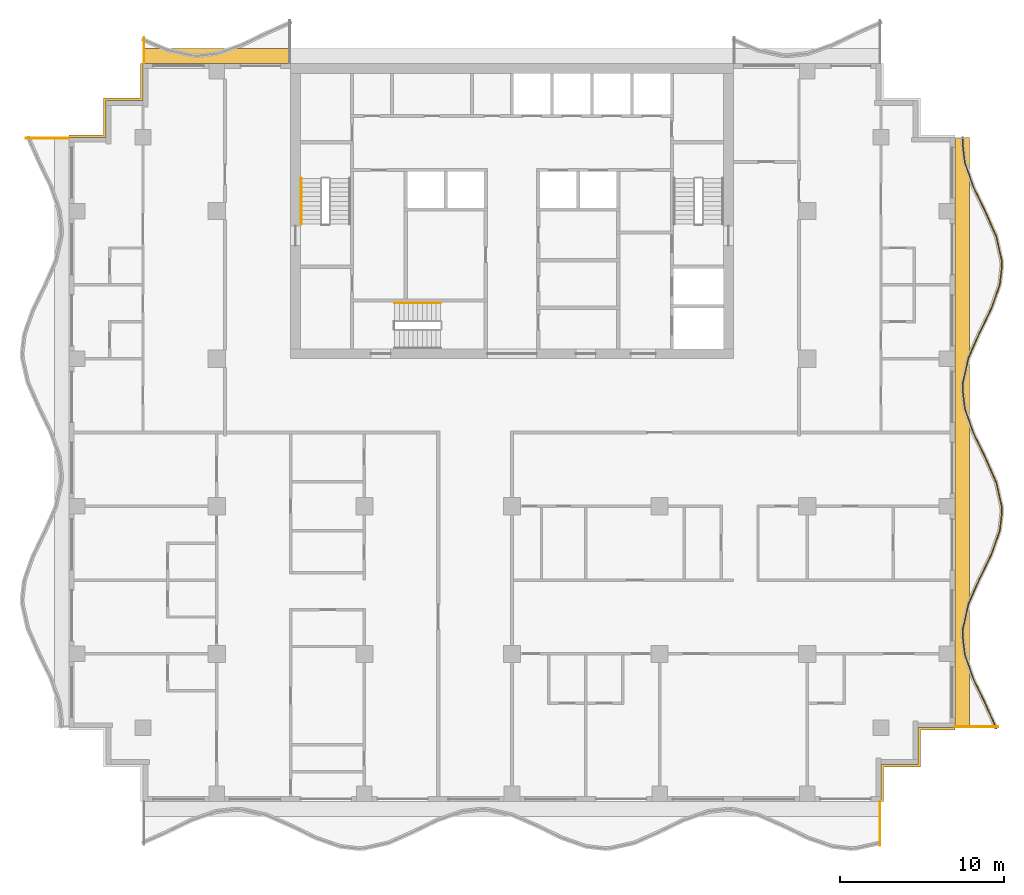
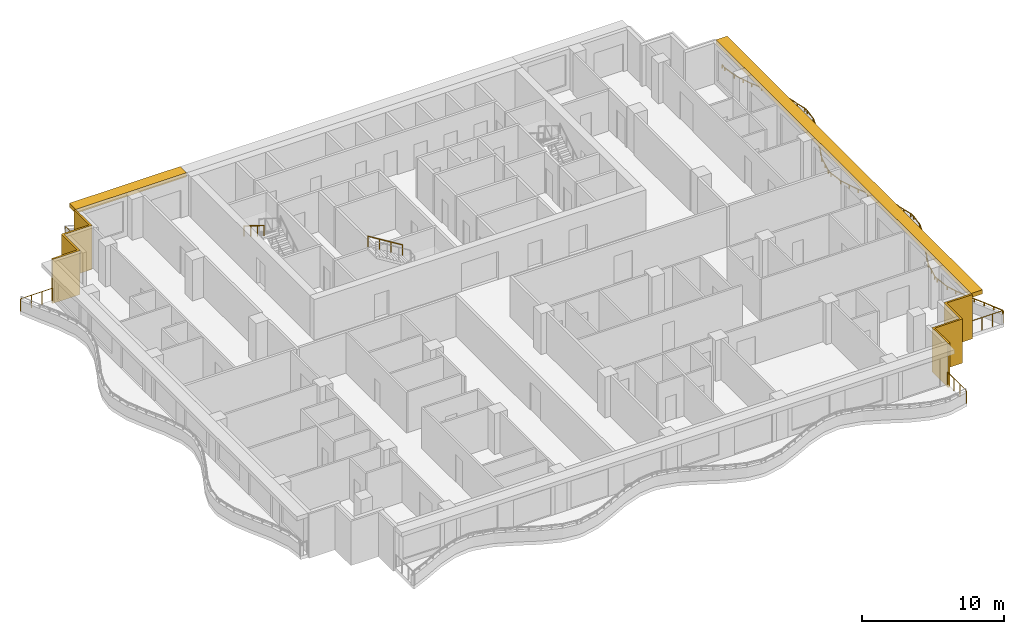
# One storey, part 10 of 11: 7 railings, 4 shading devices.
"""IFC4 building model written with IfcOpenShell, lengths in metres."""

from ifc_helpers import new_model, si_unit, direction, frame, origin, origin_2d, place, context, subcontext, project, spatial, polyline, rectangle, circle, outline, extrude, material, layer, layer_set, type_object, element, save


model = new_model("IFC4")

# Units and contexts
model_context = context("Model", 3, precision=1e-05, world=origin(), true_north=direction((0.0, 1.0)))
body_context = subcontext(model_context, "Body", "Model", "MODEL_VIEW")
ifc_project = project(units=[si_unit("LENGTHUNIT", "METRE"), si_unit("AREAUNIT", "SQUARE_METRE"), si_unit("VOLUMEUNIT", "CUBIC_METRE"), si_unit("PLANEANGLEUNIT", "RADIAN"), si_unit("MASSUNIT", "GRAM", prefix="KILO")], contexts=[model_context])

# Site, building, storey
site_placement = place(None, origin())
site = spatial("IfcSite", under=ifc_project, at=site_placement, CompositionType="ELEMENT")
building_placement = place(site_placement, origin())
building = spatial("IfcBuilding", under=site, at=building_placement, Name="Orbiselva Terraces", CompositionType="ELEMENT")
storey_placement = place(building_placement, frame((0.0, 0.0, 222.4)))
storey = spatial("IfcBuildingStorey", under=building, at=storey_placement, Name="L56", CompositionType="ELEMENT", Elevation=222.4)

# Railings
ifc_material_1 = material(Name="Stainless steel", Category="steel")
railing_type_1 = type_object("IfcRailingType", Name="CORE-HANDRAIL-900", PredefinedType="HANDRAIL", material=ifc_material_1)
railing_1_placement = place(storey_placement, frame((-12.85, 15.5, 2.072727)))
element("IfcRailing", 1, at=railing_1_placement, inside=storey, type_object=railing_type_1, Name="L56 S1 stair handrail 2", PredefinedType="HANDRAIL", context=body_context, shape_type="SweptSolid", body=[
    extrude(circle(Radius=0.024, at=origin_2d()), frame((0.0, 0.0, 0.876), z_axis=(0.0, -0.851088519012, 0.52502222125), x_axis=(1.0, 0.0, 0.0)), (0.0, 0.0, 1.0), 3.289905),
    extrude(circle(Radius=0.021, at=origin_2d()), origin(), (0.0, 0.0, 1.0), 0.852),
    extrude(circle(Radius=0.021, at=origin_2d()), frame((0.0, -0.933333, 0.575758)), (0.0, 0.0, 1.0), 0.852),
    extrude(circle(Radius=0.021, at=origin_2d()), frame((0.0, -1.866667, 1.151515)), (0.0, 0.0, 1.0), 0.852),
    extrude(circle(Radius=0.021, at=origin_2d()), frame((0.0, -2.8, 1.727273)), (0.0, 0.0, 1.0), 0.852),
])
railing_2_placement = place(storey_placement, frame((-4.35, 7.9, 2.072727)))
element("IfcRailing", 2, at=railing_2_placement, inside=storey, type_object=railing_type_1, Name="L56 S3 stair handrail 2", PredefinedType="HANDRAIL", context=body_context, shape_type="SweptSolid", body=[
    extrude(circle(Radius=0.024, at=origin_2d()), frame((0.0, 0.0, 0.876), z_axis=(-0.851088519012, 0.0, 0.52502222125), x_axis=(0.0, -1.0, 0.0)), (0.0, 0.0, 1.0), 3.289905),
    extrude(circle(Radius=0.021, at=origin_2d()), origin(), (0.0, 0.0, 1.0), 0.852),
    extrude(circle(Radius=0.021, at=origin_2d()), frame((-0.933333, 0.0, 0.575758)), (0.0, 0.0, 1.0), 0.852),
    extrude(circle(Radius=0.021, at=origin_2d()), frame((-1.866667, 0.0, 1.151515)), (0.0, 0.0, 1.0), 0.852),
    extrude(circle(Radius=0.021, at=origin_2d()), frame((-2.8, 0.0, 1.727273)), (0.0, 0.0, 1.0), 0.852),
])
ifc_material_2 = material(Name="Bonded two-ply safety glass balustrade, stainless steel posts", Category="steel")
railing_type_2 = type_object("IfcRailingType", Name="ENV-BALUSTRADE-1200", PredefinedType="BALUSTRADE", material=ifc_material_2)
railing_3_placement = place(storey_placement, frame((29.534136, -18.050394, 0.9)))
element("IfcRailing", 3, at=railing_3_placement, inside=storey, type_object=railing_type_2, Name="Balcony balustrade L56 E", PredefinedType="BALUSTRADE", context=body_context, shape_type="SweptSolid", body=[
    extrude(outline(polyline([(0.028868, 0.0), (0.014434, 0.025), (-0.014434, 0.025), (-0.028868, 0.0), (-0.014434, -0.025), (0.014434, -0.025), (0.028868, 0.0)])), frame((0.0, 0.0, 0.275), z_axis=(-0.403150940408, 0.915133498047, 0.0), x_axis=(-0.915133498047, -0.403150940408, 0.0)), (0.0, 0.0, 1.0), 1.636648),
    extrude(outline(polyline([(0.028868, 0.0), (0.014434, 0.025), (-0.014434, 0.025), (-0.028868, 0.0), (-0.014434, -0.025), (0.014434, -0.025), (0.028868, 0.0)])), frame((-0.659816, 1.497751, 0.275), z_axis=(-0.438812048596, 0.898578870221, 0.0), x_axis=(-0.898578870221, -0.438812048596, 0.0)), (0.0, 0.0, 1.0), 1.674225),
    extrude(outline(polyline([(0.028868, 0.0), (0.014434, 0.025), (-0.014434, 0.025), (-0.028868, 0.0), (-0.014434, -0.025), (0.014434, -0.025), (0.028868, 0.0)])), frame((-1.394486, 3.002174, 0.275), z_axis=(-0.330024597479, 0.943972332783, 0.0), x_axis=(-0.943972332783, -0.330024597479, 0.0)), (0.0, 0.0, 1.0), 1.610253),
    extrude(outline(polyline([(0.028868, 0.0), (0.014434, 0.025), (-0.014434, 0.025), (-0.028868, 0.0), (-0.014434, -0.025), (0.014434, -0.025), (0.028868, 0.0)])), frame((-1.925909, 4.522208, 0.275), z_axis=(-0.115482182324, 0.993309551734, 0.0), x_axis=(-0.993309551734, -0.115482182324, 0.0)), (0.0, 0.0, 1.0), 1.156135),
    extrude(outline(polyline([(0.028868, 0.0), (0.014434, 0.025), (-0.014434, 0.025), (-0.028868, 0.0), (-0.014434, -0.025), (0.014434, -0.025), (0.028868, 0.0)])), frame((-2.059422, 5.670608, 0.275), z_axis=(0.03936915532, 0.999224734286, 0.0), x_axis=(-0.999224734286, 0.03936915532, 0.0)), (0.0, 0.0, 1.0), 0.396376),
    extrude(outline(polyline([(0.028868, 0.0), (0.014434, 0.025), (-0.014434, 0.025), (-0.028868, 0.0), (-0.014434, -0.025), (0.014434, -0.025), (0.028868, 0.0)])), frame((-2.043817, 6.066677, 0.275), z_axis=(0.219015500924, 0.97572137947, 0.0), x_axis=(-0.97572137947, 0.219015500924, 0.0)), (0.0, 0.0, 1.0), 1.560867),
    extrude(outline(polyline([(0.028868, 0.0), (0.014434, 0.025), (-0.014434, 0.025), (-0.028868, 0.0), (-0.014434, -0.025), (0.014434, -0.025), (0.028868, 0.0)])), frame((-1.701963, 7.589648, 0.275), z_axis=(0.403150874148, 0.915133527237, 0.0), x_axis=(-0.915133527237, 0.403150874148, 0.0)), (0.0, 0.0, 1.0), 1.653736),
    extrude(outline(polyline([(0.028868, 0.0), (0.014434, 0.025), (-0.014434, 0.025), (-0.028868, 0.0), (-0.014434, -0.025), (0.014434, -0.025), (0.028868, 0.0)])), frame((-1.035258, 9.103037, 0.275), z_axis=(0.438811978768, 0.89857890432, 0.0), x_axis=(-0.89857890432, 0.438811978768, 0.0)), (0.0, 0.0, 1.0), 1.66438),
    extrude(outline(polyline([(0.028868, 0.0), (0.014434, 0.025), (-0.014434, 0.025), (-0.028868, 0.0), (-0.014434, -0.025), (0.014434, -0.025), (0.028868, 0.0)])), frame((-0.304908, 10.598614, 0.275), z_axis=(0.330024754707, 0.943972277814, 0.0), x_axis=(-0.943972277814, 0.330024754707, 0.0)), (0.0, 0.0, 1.0), 1.567807),
    extrude(outline(polyline([(0.028868, 0.0), (0.014434, 0.025), (-0.014434, 0.025), (-0.028868, 0.0), (-0.014434, -0.025), (0.014434, -0.025), (0.028868, 0.0)])), frame((0.212507, 12.07858, 0.275), z_axis=(0.115481264762, 0.993309658409, 0.0), x_axis=(-0.993309658409, 0.115481264762, 0.0)), (0.0, 0.0, 1.0), 1.10902),
    extrude(outline(polyline([(0.028868, 0.0), (0.014434, 0.025), (-0.014434, 0.025), (-0.028868, 0.0), (-0.014434, -0.025), (0.014434, -0.025), (0.028868, 0.0)])), frame((0.340578, 13.18018, 0.275), z_axis=(-0.039364150694, 0.999224931454, 0.0), x_axis=(-0.999224931454, -0.039364150694, 0.0)), (0.0, 0.0, 1.0), 0.354206),
    extrude(outline(polyline([(0.028868, 0.0), (0.014434, 0.025), (-0.014434, 0.025), (-0.028868, 0.0), (-0.014434, -0.025), (0.014434, -0.025), (0.028868, 0.0)])), frame((0.326635, 13.534111, 0.275), z_axis=(-0.219015740235, 0.975721325753, 0.0), x_axis=(-0.975721325753, -0.219015740235, 0.0)), (0.0, 0.0, 1.0), 1.513782),
    extrude(outline(polyline([(0.028868, 0.0), (0.014434, 0.025), (-0.014434, 0.025), (-0.028868, 0.0), (-0.014434, -0.025), (0.014434, -0.025), (0.028868, 0.0)])), frame((-0.004907, 15.01114, 0.275), z_axis=(-0.403151245402, 0.915133363686, 0.0), x_axis=(-0.915133363686, -0.403151245402, 0.0)), (0.0, 0.0, 1.0), 1.624475),
    extrude(outline(polyline([(0.028868, 0.0), (0.014434, 0.025), (-0.014434, 0.025), (-0.028868, 0.0), (-0.014434, -0.025), (0.014434, -0.025), (0.028868, 0.0)])), frame((-0.659816, 16.497751, 0.275), z_axis=(-0.438812048596, 0.898578870221, 0.0), x_axis=(-0.898578870221, -0.438812048596, 0.0)), (0.0, 0.0, 1.0), 1.674225),
    extrude(outline(polyline([(0.028868, 0.0), (0.014434, 0.025), (-0.014434, 0.025), (-0.028868, 0.0), (-0.014434, -0.025), (0.014434, -0.025), (0.028868, 0.0)])), frame((-1.394486, 18.002174, 0.275), z_axis=(-0.330024597479, 0.943972332783, 0.0), x_axis=(-0.943972332783, -0.330024597479, 0.0)), (0.0, 0.0, 1.0), 1.610253),
    extrude(outline(polyline([(0.028868, 0.0), (0.014434, 0.025), (-0.014434, 0.025), (-0.028868, 0.0), (-0.014434, -0.025), (0.014434, -0.025), (0.028868, 0.0)])), frame((-1.925909, 19.522208, 0.275), z_axis=(-0.115482182324, 0.993309551734, 0.0), x_axis=(-0.993309551734, -0.115482182324, 0.0)), (0.0, 0.0, 1.0), 1.156135),
    extrude(outline(polyline([(0.028868, 0.0), (0.014434, 0.025), (-0.014434, 0.025), (-0.028868, 0.0), (-0.014434, -0.025), (0.014434, -0.025), (0.028868, 0.0)])), frame((-2.059422, 20.670608, 0.275), z_axis=(0.03936915532, 0.999224734286, 0.0), x_axis=(-0.999224734286, 0.03936915532, 0.0)), (0.0, 0.0, 1.0), 0.396376),
    extrude(outline(polyline([(0.028868, 0.0), (0.014434, 0.025), (-0.014434, 0.025), (-0.028868, 0.0), (-0.014434, -0.025), (0.014434, -0.025), (0.028868, 0.0)])), frame((-2.043817, 21.066677, 0.275), z_axis=(0.219015500924, 0.97572137947, 0.0), x_axis=(-0.97572137947, 0.219015500924, 0.0)), (0.0, 0.0, 1.0), 1.560867),
    extrude(outline(polyline([(0.028868, 0.0), (0.014434, 0.025), (-0.014434, 0.025), (-0.028868, 0.0), (-0.014434, -0.025), (0.014434, -0.025), (0.028868, 0.0)])), frame((-1.701963, 22.589648, 0.275), z_axis=(0.403150874148, 0.915133527237, 0.0), x_axis=(-0.915133527237, 0.403150874148, 0.0)), (0.0, 0.0, 1.0), 1.653736),
    extrude(outline(polyline([(0.028868, 0.0), (0.014434, 0.025), (-0.014434, 0.025), (-0.028868, 0.0), (-0.014434, -0.025), (0.014434, -0.025), (0.028868, 0.0)])), frame((-1.035258, 24.103037, 0.275), z_axis=(0.438811978768, 0.89857890432, 0.0), x_axis=(-0.89857890432, 0.438811978768, 0.0)), (0.0, 0.0, 1.0), 1.66438),
    extrude(outline(polyline([(0.028868, 0.0), (0.014434, 0.025), (-0.014434, 0.025), (-0.028868, 0.0), (-0.014434, -0.025), (0.014434, -0.025), (0.028868, 0.0)])), frame((-0.304908, 25.598614, 0.275), z_axis=(0.330024754707, 0.943972277814, 0.0), x_axis=(-0.943972277814, 0.330024754707, 0.0)), (0.0, 0.0, 1.0), 1.567807),
    extrude(outline(polyline([(0.028868, 0.0), (0.014434, 0.025), (-0.014434, 0.025), (-0.028868, 0.0), (-0.014434, -0.025), (0.014434, -0.025), (0.028868, 0.0)])), frame((0.212507, 27.07858, 0.275), z_axis=(0.115481264762, 0.993309658409, 0.0), x_axis=(-0.993309658409, 0.115481264762, 0.0)), (0.0, 0.0, 1.0), 1.10902),
    extrude(outline(polyline([(0.028868, 0.0), (0.014434, 0.025), (-0.014434, 0.025), (-0.028868, 0.0), (-0.014434, -0.025), (0.014434, -0.025), (0.028868, 0.0)])), frame((0.340578, 28.18018, 0.275), z_axis=(-0.039364150694, 0.999224931454, 0.0), x_axis=(-0.999224931454, -0.039364150694, 0.0)), (0.0, 0.0, 1.0), 0.354206),
    extrude(outline(polyline([(0.028868, 0.0), (0.014434, 0.025), (-0.014434, 0.025), (-0.028868, 0.0), (-0.014434, -0.025), (0.014434, -0.025), (0.028868, 0.0)])), frame((0.326635, 28.534111, 0.275), z_axis=(-0.219015740235, 0.975721325753, 0.0), x_axis=(-0.975721325753, -0.219015740235, 0.0)), (0.0, 0.0, 1.0), 1.513782),
    extrude(outline(polyline([(0.028868, 0.0), (0.014434, 0.025), (-0.014434, 0.025), (-0.028868, 0.0), (-0.014434, -0.025), (0.014434, -0.025), (0.028868, 0.0)])), frame((-0.004907, 30.01114, 0.275), z_axis=(-0.403151245402, 0.915133363686, 0.0), x_axis=(-0.915133363686, -0.403151245402, 0.0)), (0.0, 0.0, 1.0), 1.624475),
    extrude(outline(polyline([(0.028868, 0.0), (0.014434, 0.025), (-0.014434, 0.025), (-0.028868, 0.0), (-0.014434, -0.025), (0.014434, -0.025), (0.028868, 0.0)])), frame((-0.659816, 31.497751, 0.275), z_axis=(-0.438812048596, 0.898578870221, 0.0), x_axis=(-0.898578870221, -0.438812048596, 0.0)), (0.0, 0.0, 1.0), 1.674225),
    extrude(outline(polyline([(0.028868, 0.0), (0.014434, 0.025), (-0.014434, 0.025), (-0.028868, 0.0), (-0.014434, -0.025), (0.014434, -0.025), (0.028868, 0.0)])), frame((-1.394486, 33.002174, 0.275), z_axis=(-0.330024597479, 0.943972332783, 0.0), x_axis=(-0.943972332783, -0.330024597479, 0.0)), (0.0, 0.0, 1.0), 1.610253),
    extrude(outline(polyline([(0.028868, 0.0), (0.014434, 0.025), (-0.014434, 0.025), (-0.028868, 0.0), (-0.014434, -0.025), (0.014434, -0.025), (0.028868, 0.0)])), frame((-1.925909, 34.522208, 0.275), z_axis=(-0.115482182324, 0.993309551734, 0.0), x_axis=(-0.993309551734, -0.115482182324, 0.0)), (0.0, 0.0, 1.0), 1.156135),
    extrude(outline(polyline([(0.028868, 0.0), (0.014434, 0.025), (-0.014434, 0.025), (-0.028868, 0.0), (-0.014434, -0.025), (0.014434, -0.025), (0.028868, 0.0)])), frame((-2.059422, 35.670608, 0.275), z_axis=(0.039368272023, 0.999224769087, 0.0), x_axis=(-0.999224769087, 0.039368272023, 0.0)), (0.0, 0.0, 1.0), 0.385005),
    extrude(rectangle(XDim=0.05, YDim=0.05, at=origin_2d()), origin(), (0.0, 0.0, 1.0), 0.25),
    extrude(rectangle(XDim=0.05, YDim=0.05, at=origin_2d()), frame((-0.329908, 0.748876, 0.0)), (0.0, 0.0, 1.0), 0.25),
    extrude(rectangle(XDim=0.05, YDim=0.05, at=origin_2d()), frame((-0.659816, 1.497751, 0.0)), (0.0, 0.0, 1.0), 0.25),
    extrude(rectangle(XDim=0.05, YDim=0.05, at=origin_2d()), frame((-1.027151, 2.249963, 0.0)), (0.0, 0.0, 1.0), 0.25),
    extrude(rectangle(XDim=0.05, YDim=0.05, at=origin_2d()), frame((-1.394486, 3.002174, 0.0)), (0.0, 0.0, 1.0), 0.25),
    extrude(rectangle(XDim=0.05, YDim=0.05, at=origin_2d()), frame((-1.660198, 3.762191, 0.0)), (0.0, 0.0, 1.0), 0.25),
    extrude(rectangle(XDim=0.05, YDim=0.05, at=origin_2d()), frame((-1.925909, 4.522208, 0.0)), (0.0, 0.0, 1.0), 0.25),
    extrude(rectangle(XDim=0.05, YDim=0.05, at=origin_2d()), frame((-2.059422, 5.670608, 0.0)), (0.0, 0.0, 1.0), 0.25),
    extrude(rectangle(XDim=0.05, YDim=0.05, at=origin_2d()), frame((-2.043817, 6.066677, 0.0)), (0.0, 0.0, 1.0), 0.25),
    extrude(rectangle(XDim=0.05, YDim=0.05, at=origin_2d()), frame((-1.87289, 6.828162, 0.0)), (0.0, 0.0, 1.0), 0.25),
    extrude(rectangle(XDim=0.05, YDim=0.05, at=origin_2d()), frame((-1.701963, 7.589648, 0.0)), (0.0, 0.0, 1.0), 0.25),
    extrude(rectangle(XDim=0.05, YDim=0.05, at=origin_2d()), frame((-1.36861, 8.346342, 0.0)), (0.0, 0.0, 1.0), 0.25),
    extrude(rectangle(XDim=0.05, YDim=0.05, at=origin_2d()), frame((-1.035258, 9.103037, 0.0)), (0.0, 0.0, 1.0), 0.25),
    extrude(rectangle(XDim=0.05, YDim=0.05, at=origin_2d()), frame((-0.670083, 9.850826, 0.0)), (0.0, 0.0, 1.0), 0.25),
    extrude(rectangle(XDim=0.05, YDim=0.05, at=origin_2d()), frame((-0.304908, 10.598614, 0.0)), (0.0, 0.0, 1.0), 0.25),
    extrude(rectangle(XDim=0.05, YDim=0.05, at=origin_2d()), frame((-0.046201, 11.338597, 0.0)), (0.0, 0.0, 1.0), 0.25),
    extrude(rectangle(XDim=0.05, YDim=0.05, at=origin_2d()), frame((0.212507, 12.07858, 0.0)), (0.0, 0.0, 1.0), 0.25),
    extrude(rectangle(XDim=0.05, YDim=0.05, at=origin_2d()), frame((0.340578, 13.18018, 0.0)), (0.0, 0.0, 1.0), 0.25),
    extrude(rectangle(XDim=0.05, YDim=0.05, at=origin_2d()), frame((0.326635, 13.534111, 0.0)), (0.0, 0.0, 1.0), 0.25),
    extrude(rectangle(XDim=0.05, YDim=0.05, at=origin_2d()), frame((0.160864, 14.272626, 0.0)), (0.0, 0.0, 1.0), 0.25),
    extrude(rectangle(XDim=0.05, YDim=0.05, at=origin_2d()), frame((-0.004907, 15.01114, 0.0)), (0.0, 0.0, 1.0), 0.25),
    extrude(rectangle(XDim=0.05, YDim=0.05, at=origin_2d()), frame((-0.332361, 15.754446, 0.0)), (0.0, 0.0, 1.0), 0.25),
    extrude(rectangle(XDim=0.05, YDim=0.05, at=origin_2d()), frame((-0.659816, 16.497751, 0.0)), (0.0, 0.0, 1.0), 0.25),
    extrude(rectangle(XDim=0.05, YDim=0.05, at=origin_2d()), frame((-1.027151, 17.249963, 0.0)), (0.0, 0.0, 1.0), 0.25),
    extrude(rectangle(XDim=0.05, YDim=0.05, at=origin_2d()), frame((-1.394486, 18.002174, 0.0)), (0.0, 0.0, 1.0), 0.25),
    extrude(rectangle(XDim=0.05, YDim=0.05, at=origin_2d()), frame((-1.660198, 18.762191, 0.0)), (0.0, 0.0, 1.0), 0.25),
    extrude(rectangle(XDim=0.05, YDim=0.05, at=origin_2d()), frame((-1.925909, 19.522208, 0.0)), (0.0, 0.0, 1.0), 0.25),
    extrude(rectangle(XDim=0.05, YDim=0.05, at=origin_2d()), frame((-2.059422, 20.670608, 0.0)), (0.0, 0.0, 1.0), 0.25),
    extrude(rectangle(XDim=0.05, YDim=0.05, at=origin_2d()), frame((-2.043817, 21.066677, 0.0)), (0.0, 0.0, 1.0), 0.25),
    extrude(rectangle(XDim=0.05, YDim=0.05, at=origin_2d()), frame((-1.87289, 21.828162, 0.0)), (0.0, 0.0, 1.0), 0.25),
    extrude(rectangle(XDim=0.05, YDim=0.05, at=origin_2d()), frame((-1.701963, 22.589648, 0.0)), (0.0, 0.0, 1.0), 0.25),
    extrude(rectangle(XDim=0.05, YDim=0.05, at=origin_2d()), frame((-1.36861, 23.346342, 0.0)), (0.0, 0.0, 1.0), 0.25),
    extrude(rectangle(XDim=0.05, YDim=0.05, at=origin_2d()), frame((-1.035258, 24.103037, 0.0)), (0.0, 0.0, 1.0), 0.25),
    extrude(rectangle(XDim=0.05, YDim=0.05, at=origin_2d()), frame((-0.670083, 24.850826, 0.0)), (0.0, 0.0, 1.0), 0.25),
    extrude(rectangle(XDim=0.05, YDim=0.05, at=origin_2d()), frame((-0.304908, 25.598614, 0.0)), (0.0, 0.0, 1.0), 0.25),
    extrude(rectangle(XDim=0.05, YDim=0.05, at=origin_2d()), frame((-0.046201, 26.338597, 0.0)), (0.0, 0.0, 1.0), 0.25),
    extrude(rectangle(XDim=0.05, YDim=0.05, at=origin_2d()), frame((0.212507, 27.07858, 0.0)), (0.0, 0.0, 1.0), 0.25),
    extrude(rectangle(XDim=0.05, YDim=0.05, at=origin_2d()), frame((0.340578, 28.18018, 0.0)), (0.0, 0.0, 1.0), 0.25),
    extrude(rectangle(XDim=0.05, YDim=0.05, at=origin_2d()), frame((0.326635, 28.534111, 0.0)), (0.0, 0.0, 1.0), 0.25),
    extrude(rectangle(XDim=0.05, YDim=0.05, at=origin_2d()), frame((0.160864, 29.272626, 0.0)), (0.0, 0.0, 1.0), 0.25),
    extrude(rectangle(XDim=0.05, YDim=0.05, at=origin_2d()), frame((-0.004907, 30.01114, 0.0)), (0.0, 0.0, 1.0), 0.25),
    extrude(rectangle(XDim=0.05, YDim=0.05, at=origin_2d()), frame((-0.332361, 30.754446, 0.0)), (0.0, 0.0, 1.0), 0.25),
    extrude(rectangle(XDim=0.05, YDim=0.05, at=origin_2d()), frame((-0.659816, 31.497751, 0.0)), (0.0, 0.0, 1.0), 0.25),
    extrude(rectangle(XDim=0.05, YDim=0.05, at=origin_2d()), frame((-1.027151, 32.249962, 0.0)), (0.0, 0.0, 1.0), 0.25),
    extrude(rectangle(XDim=0.05, YDim=0.05, at=origin_2d()), frame((-1.394486, 33.002174, 0.0)), (0.0, 0.0, 1.0), 0.25),
    extrude(rectangle(XDim=0.05, YDim=0.05, at=origin_2d()), frame((-1.660198, 33.762191, 0.0)), (0.0, 0.0, 1.0), 0.25),
    extrude(rectangle(XDim=0.05, YDim=0.05, at=origin_2d()), frame((-1.925909, 34.522208, 0.0)), (0.0, 0.0, 1.0), 0.25),
    extrude(rectangle(XDim=0.05, YDim=0.05, at=origin_2d()), frame((-2.059422, 35.670608, 0.0)), (0.0, 0.0, 1.0), 0.25),
    extrude(rectangle(XDim=0.05, YDim=0.05, at=origin_2d()), frame((-2.044265, 36.055315, 0.0)), (0.0, 0.0, 1.0), 0.25),
])
ifc_material_3 = material(Name="Stainless steel rail and posts", Category="steel")
railing_type_3 = type_object("IfcRailingType", Name="ENV-GUARD-1105", PredefinedType="BALUSTRADE", material=ifc_material_3)
railing_4_placement = place(storey_placement, frame((22.44, -25.169584, 0.0)))
element("IfcRailing", 4, at=railing_4_placement, inside=storey, type_object=railing_type_3, Name="Balcony end guard L56 S", PredefinedType="BALUSTRADE", context=body_context, shape_type="SweptSolid", body=[
    extrude(outline(polyline([(0.028868, 0.0), (0.014434, 0.025), (-0.014434, 0.025), (-0.028868, 0.0), (-0.014434, -0.025), (0.014434, -0.025), (0.028868, 0.0)])), frame((0.0, 0.0, 1.08), z_axis=(0.0, 1.0, 0.0), x_axis=(-1.0, 0.0, 0.0)), (0.0, 0.0, 1.0), 2.644584),
    extrude(rectangle(XDim=0.05, YDim=0.05, at=origin_2d()), origin(), (0.0, 0.0, 1.0), 1.055),
    extrude(rectangle(XDim=0.05, YDim=0.05, at=origin_2d()), frame((0.0, 0.881528, 0.0)), (0.0, 0.0, 1.0), 1.055),
    extrude(rectangle(XDim=0.05, YDim=0.05, at=origin_2d()), frame((0.0, 1.763056, 0.0)), (0.0, 0.0, 1.0), 1.055),
    extrude(rectangle(XDim=0.05, YDim=0.05, at=origin_2d()), frame((0.0, 2.644584, 0.0)), (0.0, 0.0, 1.0), 1.055),
])
railing_5_placement = place(storey_placement, frame((29.626937, -17.94, 0.0)))
element("IfcRailing", 5, at=railing_5_placement, inside=storey, type_object=railing_type_3, Name="Balcony end guard L56 E", PredefinedType="BALUSTRADE", context=body_context, shape_type="SweptSolid", body=[
    extrude(outline(polyline([(0.028868, 0.0), (0.014434, 0.025), (-0.014434, 0.025), (-0.028868, 0.0), (-0.014434, -0.025), (0.014434, -0.025), (0.028868, 0.0)])), frame((0.0, 0.0, 1.08), z_axis=(-1.0, 0.0, 0.0), x_axis=(0.0, -1.0, 0.0)), (0.0, 0.0, 1.0), 2.601937),
    extrude(rectangle(XDim=0.05, YDim=0.05, at=origin_2d()), origin(), (0.0, 0.0, 1.0), 1.055),
    extrude(rectangle(XDim=0.05, YDim=0.05, at=origin_2d()), frame((-0.867312, 0.0, 0.0)), (0.0, 0.0, 1.0), 1.055),
    extrude(rectangle(XDim=0.05, YDim=0.05, at=origin_2d()), frame((-1.734625, 0.0, 0.0)), (0.0, 0.0, 1.0), 1.055),
    extrude(rectangle(XDim=0.05, YDim=0.05, at=origin_2d()), frame((-2.601937, 0.0, 0.0)), (0.0, 0.0, 1.0), 1.055),
])
railing_6_placement = place(storey_placement, frame((-22.44, 24.082553, 0.0)))
element("IfcRailing", 6, at=railing_6_placement, inside=storey, type_object=railing_type_3, Name="Balcony end guard L56 NW", PredefinedType="BALUSTRADE", context=body_context, shape_type="SweptSolid", body=[
    extrude(outline(polyline([(0.028868, 0.0), (0.014434, 0.025), (-0.014434, 0.025), (-0.028868, 0.0), (-0.014434, -0.025), (0.014434, -0.025), (0.028868, 0.0)])), frame((0.0, 0.0, 1.08), z_axis=(0.0, -1.0, 0.0), x_axis=(1.0, 0.0, 0.0)), (0.0, 0.0, 1.0), 1.557553),
    extrude(rectangle(XDim=0.05, YDim=0.05, at=origin_2d()), origin(), (0.0, 0.0, 1.0), 1.055),
    extrude(rectangle(XDim=0.05, YDim=0.05, at=origin_2d()), frame((0.0, -0.778777, 0.0)), (0.0, 0.0, 1.0), 1.055),
    extrude(rectangle(XDim=0.05, YDim=0.05, at=origin_2d()), frame((0.0, -1.557553, 0.0)), (0.0, 0.0, 1.0), 1.055),
])
railing_7_placement = place(storey_placement, frame((-29.626937, 17.94, 0.0)))
element("IfcRailing", 7, at=railing_7_placement, inside=storey, type_object=railing_type_3, Name="Balcony end guard L56 W", PredefinedType="BALUSTRADE", context=body_context, shape_type="SweptSolid", body=[
    extrude(outline(polyline([(0.028868, 0.0), (0.014434, 0.025), (-0.014434, 0.025), (-0.028868, 0.0), (-0.014434, -0.025), (0.014434, -0.025), (0.028868, 0.0)])), frame((0.0, 0.0, 1.08), z_axis=(1.0, 0.0, 0.0), x_axis=(0.0, 1.0, 0.0)), (0.0, 0.0, 1.0), 2.601937),
    extrude(rectangle(XDim=0.05, YDim=0.05, at=origin_2d()), origin(), (0.0, 0.0, 1.0), 1.055),
    extrude(rectangle(XDim=0.05, YDim=0.05, at=origin_2d()), frame((0.867312, 0.0, 0.0)), (0.0, 0.0, 1.0), 1.055),
    extrude(rectangle(XDim=0.05, YDim=0.05, at=origin_2d()), frame((1.734625, 0.0, 0.0)), (0.0, 0.0, 1.0), 1.055),
    extrude(rectangle(XDim=0.05, YDim=0.05, at=origin_2d()), frame((2.601937, 0.0, 0.0)), (0.0, 0.0, 1.0), 1.055),
])

# Shading devices
ifc_material_4 = material(Name="Terracotta louvre screen", Category="masonry")
ifc_layer_1 = layer(ifc_material_4, 0.15)
ifc_layer_set_1 = layer_set([ifc_layer_1], Name="Terracotta louvre screen")
shading_device_type_1 = type_object("IfcShadingDeviceType", Name="ENV-SCREEN-150", PredefinedType="USERDEFINED", material=ifc_layer_set_1)
shading_device_1_placement = place(storey_placement, frame((0.0, 0.0, -0.3)))
element("IfcShadingDevice", 8, at=shading_device_1_placement, inside=storey, type_object=shading_device_type_1, Name="Louvre screen L56 NW", ObjectType="SCREEN", PredefinedType="USERDEFINED", context=body_context, shape_type="SweptSolid", body=[
    extrude(outline(polyline([(-22.65, 22.5), (-22.65, 20.4), (-24.9, 20.4), (-24.9, 18.15), (-27.0, 18.15), (-27.0, 18.0), (-24.75, 18.0), (-24.75, 20.25), (-22.5, 20.25), (-22.5, 22.5), (-22.65, 22.5)])), origin(), (0.0, 0.0, 1.0), 3.8),
])
shading_device_2_placement = place(storey_placement, frame((0.0, 0.0, -0.3)))
element("IfcShadingDevice", 9, at=shading_device_2_placement, inside=storey, type_object=shading_device_type_1, Name="Louvre screen L56 SE", ObjectType="SCREEN", PredefinedType="USERDEFINED", context=body_context, shape_type="SweptSolid", body=[
    extrude(outline(polyline([(22.65, -22.5), (22.65, -20.4), (24.9, -20.4), (24.9, -18.15), (27.0, -18.15), (27.0, -18.0), (24.75, -18.0), (24.75, -20.25), (22.5, -20.25), (22.5, -22.5), (22.65, -22.5)])), origin(), (0.0, 0.0, 1.0), 3.8),
])
ifc_material_5 = material(Name="Terracotta baguette sunshade", Category="masonry")
ifc_layer_2 = layer(ifc_material_5, 0.35)
ifc_layer_set_2 = layer_set([ifc_layer_2], Name="Terracotta baguette sunshade")
shading_device_type_2 = type_object("IfcShadingDeviceType", Name="ENV-SUNSHADE-900x350", PredefinedType="USERDEFINED", material=ifc_layer_set_2)
shading_device_3_placement = place(storey_placement, frame((0.0, 0.0, 3.15)))
element("IfcShadingDevice", 10, at=shading_device_3_placement, inside=storey, type_object=shading_device_type_2, Name="Sunshade band L56 E", ObjectType="SUNSHADE", PredefinedType="USERDEFINED", context=body_context, shape_type="SweptSolid", body=[
    extrude(outline(polyline([(27.9, -18.0), (27.9, 18.0), (27.0, 18.0), (27.0, -18.0), (27.9, -18.0)])), origin(), (0.0, 0.0, 1.0), 0.35),
])
shading_device_4_placement = place(storey_placement, frame((0.0, 0.0, 3.15)))
element("IfcShadingDevice", 11, at=shading_device_4_placement, inside=storey, type_object=shading_device_type_2, Name="Sunshade band L56 NW", ObjectType="SUNSHADE", PredefinedType="USERDEFINED", context=body_context, shape_type="SweptSolid", body=[
    extrude(outline(polyline([(-13.5, 23.4), (-22.5, 23.4), (-22.5, 22.5), (-13.5, 22.5), (-13.5, 23.4)])), origin(), (0.0, 0.0, 1.0), 0.35),
])

save(model, "model.ifc")
